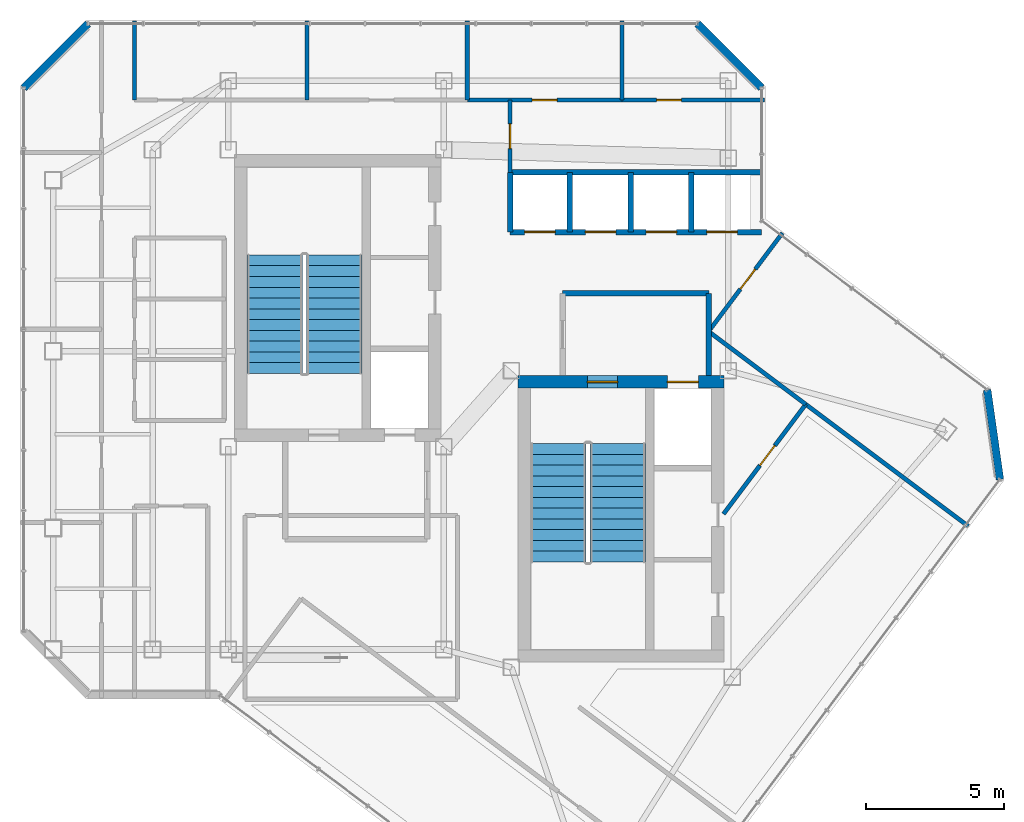
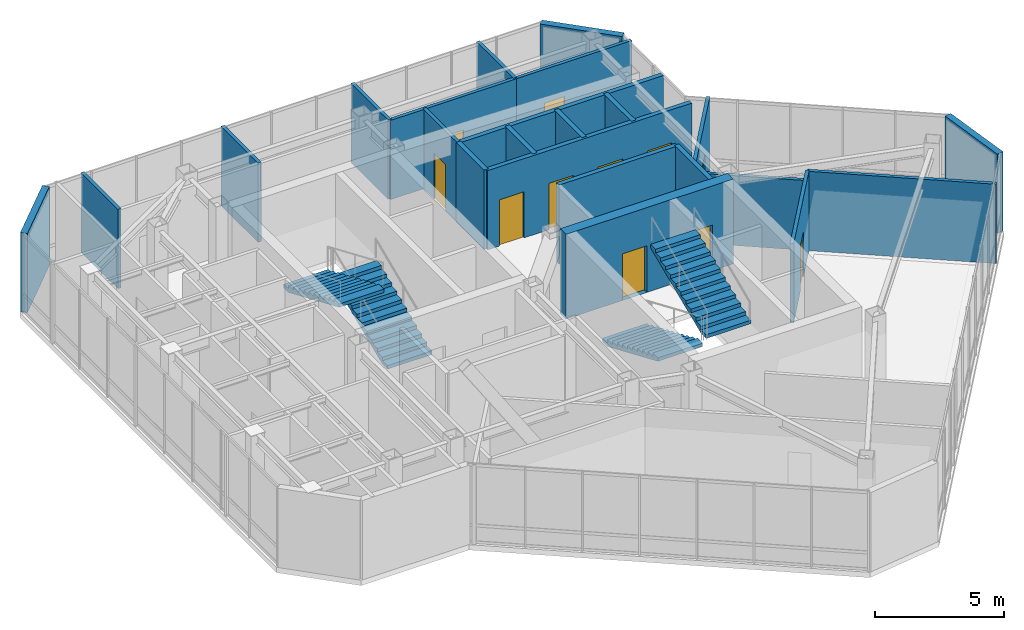
# One storey, part 28 of 31: 23 walls, 11 doors, 4 stair flights, 11 openings, 2 elements without a shape of their own.
"""IFC4 building model written with IfcOpenShell, lengths in metres."""

from ifc_helpers import new_model, si_unit, direction, frame, frame_2d, origin, place, context, subcontext, project, spatial, polyline, rectangle, outline, extrude, material, layer, layer_set, type_object, element, fill, aggregate, save


model = new_model("IFC4")

# Units and contexts
model_context = context("Model", 3, precision=1e-05, world=origin(), true_north=direction((0.0, 1.0)))
body_context = subcontext(model_context, "Body", "Model", "MODEL_VIEW")
ifc_project = project(units=[si_unit("LENGTHUNIT", "METRE"), si_unit("AREAUNIT", "SQUARE_METRE"), si_unit("VOLUMEUNIT", "CUBIC_METRE"), si_unit("PLANEANGLEUNIT", "RADIAN"), si_unit("MASSUNIT", "GRAM", prefix="KILO")], contexts=[model_context])

# Site, building, storey
site_placement = place(None, origin())
site = spatial("IfcSite", under=ifc_project, at=site_placement, CompositionType="ELEMENT")
building_placement = place(site_placement, origin())
building = spatial("IfcBuilding", under=site, at=building_placement, Name="Hatsunagi Terrace Concourse", CompositionType="ELEMENT")
storey_placement = place(building_placement, frame((0.0, 0.0, 269.949951171875)))
storey = spatial("IfcBuildingStorey", under=building, at=storey_placement, Name="L71", CompositionType="ELEMENT", Elevation=269.949951171875)

# Wall, openings, doors
ifc_material_1 = material(Name="Concrete Fc42", Category="concrete")
ifc_layer_1 = layer(ifc_material_1, 0.449951171875)
ifc_layer_set_1 = layer_set([ifc_layer_1], Name="CoreShearWall_Fc42_450")
wall_type_1 = type_object("IfcWallType", Name="CoreShearWall_Fc42_450", PredefinedType="SHEAR", material=ifc_layer_set_1)
wall_1_placement = place(storey_placement, frame((36.0400390625, 34.89501953125, 0.0), z_axis=(0.0, 0.0, 1.0), x_axis=(1.0, 0.0, 0.0)))
wall_1 = element("IfcWall", 1, at=wall_1_placement, inside=storey, type_object=wall_type_1, Name="Core B Shear Wall N L71", PredefinedType="SHEAR", context=body_context, shape_type="SweptSolid", body=[
    extrude(rectangle(XDim=7.4599609375, YDim=0.449951171875, at=frame_2d((3.72998046875, 0.0))), origin(), (0.0, 0.0, 1.0), 4.0),
])
opening_1_placement = place(wall_1_placement, frame((2.510009765625, 0.0, 0.0)))
opening_1 = element("IfcOpeningElement", 2, at=opening_1_placement, cuts=wall_1, Name="Opening DR-110S", PredefinedType="OPENING", context=body_context, shape_type="SweptSolid", body=[
    extrude(rectangle(XDim=1.10009765625, YDim=2.199951171875, at=frame_2d((0.550048828125, 1.10009765625))), frame((0.0, 0.23486328125, 0.0), z_axis=(0.0, -1.0, 0.0), x_axis=(1.0, 0.0, 0.0)), (0.0, 0.0, 1.0), 0.469970703125),
])
opening_2_placement = place(wall_1_placement, frame((5.409912109375, 0.0, 0.0)))
opening_2 = element("IfcOpeningElement", 3, at=opening_2_placement, cuts=wall_1, Name="Opening LD-02", PredefinedType="OPENING", context=body_context, shape_type="SweptSolid", body=[
    extrude(rectangle(XDim=1.1201171875, YDim=2.14990234375, at=frame_2d((0.56005859375, 1.074951171875))), frame((0.0, 0.23486328125, 0.0), z_axis=(0.0, -1.0, 0.0), x_axis=(1.0, 0.0, 0.0)), (0.0, 0.0, 1.0), 0.469970703125),
])
ifc_material_2 = material(Name="Stainless steel", Category="steel")
door_type_1 = type_object("IfcDoorType", Name="LiftLandingDoor_LD02", OperationType="SLIDING_TO_RIGHT", PredefinedType="USERDEFINED", material=ifc_material_2)
door_1_placement = place(opening_2_placement, origin())
door_1 = element("IfcDoor", 4, at=door_1_placement, inside=storey, type_object=door_type_1, Name="Lift landing door FF-02 L71", ObjectType="SLIDING_LANDING_DOOR", OperationType="SLIDING_TO_RIGHT", OverallHeight=2.14990234375, OverallWidth=1.1201171875, PredefinedType="USERDEFINED", context=body_context, shape_type="SweptSolid", body=[
    extrude(rectangle(XDim=1.1201171875, YDim=2.14990234375, at=frame_2d((0.56005859375, 1.074951171875))), frame((0.0, 0.02490234375, 0.0), z_axis=(0.0, -1.0, 0.0), x_axis=(1.0, 0.0, 0.0)), (0.0, 0.0, 1.0), 0.050048828125),
])
fill(opening_2, door_1)
ifc_material_3 = material(Name="Painted steel", Category="steel")
door_type_2 = type_object("IfcDoorType", Name="StairFireDoor_EI60_1100", OperationType="NOTDEFINED", PredefinedType="DOOR", material=ifc_material_3)
door_2_placement = place(opening_1_placement, origin())
door_2 = element("IfcDoor", 5, at=door_2_placement, inside=storey, type_object=door_type_2, Name="Stair ST-B Exit Door L71", OperationType="SINGLE_SWING_RIGHT", OverallHeight=2.199951171875, OverallWidth=1.10009765625, PredefinedType="DOOR", context=body_context, shape_type="SweptSolid", body=[
    extrude(rectangle(XDim=1.10009765625, YDim=2.199951171875, at=frame_2d((0.550048828125, 1.10009765625))), frame((0.0, 0.02490234375, 0.0), z_axis=(0.0, -1.0, 0.0), x_axis=(1.0, 0.0, 0.0)), (0.0, 0.0, 1.0), 0.050048828125),
])
fill(opening_1, door_2)

# Walls
ifc_material_4 = material(Name="Acoustic mineral board", Category="gypsum")
ifc_layer_2 = layer(ifc_material_4, 0.14990234375)
ifc_layer_set_2 = layer_set([ifc_layer_2], Name="PartitionWall_EI60_150")
wall_type_2 = type_object("IfcWallType", Name="PartitionWall_EI60_150", PredefinedType="PARTITIONING", material=ifc_layer_set_2)
for number, where, z_axis, x_axis, name in (
    (6, (22.14990234375, 45.10009765625, 0.0), (0.0, 0.0, 1.0), (0.0, 1.0, 0.0), "Interior Partition IW-L71-030"),
    (7, (28.39990234375, 45.10009765625, 0.0), (0.0, 0.0, 1.0), (0.0, 1.0, 0.0), "Interior Partition IW-L71-031"),
    (8, (34.199951171875, 45.10009765625, 0.0), (0.0, 0.0, 1.0), (0.0, 1.0, 0.0), "Interior Partition IW-L71-033"),
):
    element("IfcWall", number, at=place(storey_placement, frame(where, z_axis=z_axis, x_axis=x_axis)), inside=storey, type_object=wall_type_2, Name=name, PredefinedType="PARTITIONING", context=body_context, shape_type="SweptSolid", body=[
        extrude(rectangle(XDim=2.85986328125, YDim=0.14990234375, at=frame_2d((1.429931640625, 0.0))), origin(), (0.0, 0.0, 1.0), 3.739990234375),
    ])

# Wall, opening, door
wall_2_placement = place(storey_placement, frame((34.199951171875, 45.10009765625, 0.0), z_axis=(0.0, 0.0, 1.0), x_axis=(1.0, 0.0, 0.0)))
wall_2 = element("IfcWall", 9, at=wall_2_placement, inside=storey, type_object=wall_type_2, Name="Interior Partition IW-L71-034", PredefinedType="PARTITIONING", context=body_context, shape_type="SweptSolid", body=[
    extrude(rectangle(XDim=5.60009765625, YDim=0.14990234375, at=frame_2d((2.800048828125, 0.0))), origin(), (0.0, 0.0, 1.0), 3.739990234375),
])
opening_3_placement = place(wall_2_placement, frame((2.35009765625, 0.0, 0.0)))
opening_3 = element("IfcOpeningElement", 10, at=opening_3_placement, cuts=wall_2, Name="Opening DR-090", PredefinedType="OPENING", context=body_context, shape_type="SweptSolid", body=[
    extrude(rectangle(XDim=0.89990234375, YDim=2.14990234375, at=frame_2d((0.449951171875, 1.074951171875))), frame((0.0, 0.0849609375, 0.0), z_axis=(0.0, -1.0, 0.0), x_axis=(1.0, 0.0, 0.0)), (0.0, 0.0, 1.0), 0.169921875),
])
ifc_material_5 = material(Name="Hardwood timber", Category="wood")
door_type_3 = type_object("IfcDoorType", Name="CrownPavilionDoor_EI30_900", OperationType="NOTDEFINED", PredefinedType="DOOR", material=ifc_material_5)
door_3_placement = place(opening_3_placement, origin())
door_3 = element("IfcDoor", 11, at=door_3_placement, inside=storey, type_object=door_type_3, Name="VIP Lounge L71-CRN3 Door", OperationType="SINGLE_SWING_RIGHT", OverallHeight=2.14990234375, OverallWidth=0.89990234375, PredefinedType="DOOR", context=body_context, shape_type="SweptSolid", body=[
    extrude(rectangle(XDim=0.89990234375, YDim=2.14990234375, at=frame_2d((0.449951171875, 1.074951171875))), frame((0.0, 0.02490234375, 0.0), z_axis=(0.0, -1.0, 0.0), x_axis=(1.0, 0.0, 0.0)), (0.0, 0.0, 1.0), 0.050048828125),
])
fill(opening_3, door_3)

# Wall
wall_3_placement = place(storey_placement, frame((39.800048828125, 45.10009765625, 0.0), z_axis=(0.0, 0.0, 1.0), x_axis=(0.0, 1.0, 0.0)))
element("IfcWall", 12, at=wall_3_placement, inside=storey, type_object=wall_type_2, Name="Interior Partition IW-L71-035", PredefinedType="PARTITIONING", context=body_context, shape_type="SweptSolid", body=[
    extrude(rectangle(XDim=2.85986328125, YDim=0.14990234375, at=frame_2d((1.429931640625, 0.0))), origin(), (0.0, 0.0, 1.0), 3.739990234375),
])

# Wall, opening, door
wall_4_placement = place(storey_placement, frame((39.800048828125, 45.10009765625, 0.0), z_axis=(0.0, 0.0, 1.0), x_axis=(1.0, 0.0, 0.0)))
wall_4 = element("IfcWall", 13, at=wall_4_placement, inside=storey, type_object=wall_type_2, Name="Interior Partition IW-L71-036", PredefinedType="PARTITIONING", context=body_context, shape_type="SweptSolid", body=[
    extrude(rectangle(XDim=5.159912109375, YDim=0.14990234375, at=frame_2d((2.580078125, 0.0))), origin(), (0.0, 0.0, 1.0), 3.739990234375),
])
opening_4_placement = place(wall_4_placement, frame((1.2548828125, 0.0, 0.0)))
opening_4 = element("IfcOpeningElement", 14, at=opening_4_placement, cuts=wall_4, Name="Opening DR-090", PredefinedType="OPENING", context=body_context, shape_type="SweptSolid", body=[
    extrude(rectangle(XDim=0.89990234375, YDim=2.14990234375, at=frame_2d((0.449951171875, 1.074951171875))), frame((0.0, 0.0849609375, 0.0), z_axis=(0.0, -1.0, 0.0), x_axis=(1.0, 0.0, 0.0)), (0.0, 0.0, 1.0), 0.169921875),
])
door_4_placement = place(opening_4_placement, origin())
door_4 = element("IfcDoor", 15, at=door_4_placement, inside=storey, type_object=door_type_3, Name="Executive Office L71-CRN4 Door", OperationType="SINGLE_SWING_RIGHT", OverallHeight=2.14990234375, OverallWidth=0.89990234375, PredefinedType="DOOR", context=body_context, shape_type="SweptSolid", body=[
    extrude(rectangle(XDim=0.89990234375, YDim=2.14990234375, at=frame_2d((0.449951171875, 1.074951171875))), frame((0.0, 0.02490234375, 0.0), z_axis=(0.0, -1.0, 0.0), x_axis=(1.0, 0.0, 0.0)), (0.0, 0.0, 1.0), 0.050048828125),
])
fill(opening_4, door_4)

wall_5_placement = place(storey_placement, frame((35.75, 42.47998046875, 0.0), z_axis=(0.0, 0.0, 1.0), x_axis=(0.0, 1.0, 0.0)))
wall_5 = element("IfcWall", 16, at=wall_5_placement, inside=storey, type_object=wall_type_2, Name="Interior Partition IW-L71-037", PredefinedType="PARTITIONING", context=body_context, shape_type="SweptSolid", body=[
    extrude(rectangle(XDim=2.6201171875, YDim=0.14990234375, at=frame_2d((1.31005859375, 0.0))), origin(), (0.0, 0.0, 1.0), 3.739990234375),
])
opening_5_placement = place(wall_5_placement, frame((0.860107421875, 0.0, 0.0)))
opening_5 = element("IfcOpeningElement", 17, at=opening_5_placement, cuts=wall_5, Name="Opening DR-090", PredefinedType="OPENING", context=body_context, shape_type="SweptSolid", body=[
    extrude(rectangle(XDim=0.89990234375, YDim=2.14990234375, at=frame_2d((0.449951171875, 1.074951171875))), frame((0.0, 0.0849609375, 0.0), z_axis=(0.0, -1.0, 0.0), x_axis=(1.0, 0.0, 0.0)), (0.0, 0.0, 1.0), 0.169921875),
])
door_5_placement = place(opening_5_placement, origin())
door_5 = element("IfcDoor", 18, at=door_5_placement, inside=storey, type_object=door_type_3, Name="Crown Tea Salon L71-CRTEA Door", OperationType="SINGLE_SWING_RIGHT", OverallHeight=2.14990234375, OverallWidth=0.89990234375, PredefinedType="DOOR", context=body_context, shape_type="SweptSolid", body=[
    extrude(rectangle(XDim=0.89990234375, YDim=2.14990234375, at=frame_2d((0.449951171875, 1.074951171875))), frame((0.0, 0.02490234375, 0.0), z_axis=(0.0, -1.0, 0.0), x_axis=(1.0, 0.0, 0.0)), (0.0, 0.0, 1.0), 0.050048828125),
])
fill(opening_5, door_5)

# Wall
wall_6_placement = place(storey_placement, frame((46.4599609375, 34.080078125, 0.0), z_axis=(0.0, 0.0, 1.0), x_axis=(0.799996019408, -0.60000530742, 0.0)))
element("IfcWall", 19, at=wall_6_placement, inside=storey, type_object=wall_type_2, Name="Interior Partition IW-L71-051", PredefinedType="PARTITIONING", context=body_context, shape_type="SweptSolid", body=[
    extrude(rectangle(XDim=7.35986328125, YDim=0.14990234375, at=frame_2d((3.679931640625, 0.0))), origin(), (0.0, 0.0, 1.0), 3.739990234375),
])

# Wall, opening, door
wall_7_placement = place(storey_placement, frame((43.47998046875, 30.10693359375, 0.0), z_axis=(0.0, 0.0, 1.0), x_axis=(0.600015730265, 0.799988202059, 0.0)))
wall_7 = element("IfcWall", 20, at=wall_7_placement, inside=storey, type_object=wall_type_2, Name="Interior Partition IW-L71-052", PredefinedType="PARTITIONING", context=body_context, shape_type="SweptSolid", body=[
    extrude(rectangle(XDim=4.966552734375, YDim=0.14990234375, at=frame_2d((2.4833984375, 0.0))), origin(), (0.0, 0.0, 1.0), 3.739990234375),
])
opening_6_placement = place(wall_7_placement, frame((2.198974609375, 0.0, 0.0)))
opening_6 = element("IfcOpeningElement", 21, at=opening_6_placement, cuts=wall_7, Name="Opening DR-090", PredefinedType="OPENING", context=body_context, shape_type="SweptSolid", body=[
    extrude(rectangle(XDim=0.89990234375, YDim=2.14990234375, at=frame_2d((0.449951171875, 1.074951171875))), frame((0.0, 0.0849609375, 0.0), z_axis=(0.0, -1.0, 0.0), x_axis=(1.0, 0.0, 0.0)), (0.0, 0.0, 1.0), 0.169921875),
])
door_6_placement = place(opening_6_placement, origin())
door_6 = element("IfcDoor", 22, at=door_6_placement, inside=storey, type_object=door_type_3, Name="Crown Executive Suite L71-CRSE1 Door", OperationType="SINGLE_SWING_RIGHT", OverallHeight=2.14990234375, OverallWidth=0.89990234375, PredefinedType="DOOR", context=body_context, shape_type="SweptSolid", body=[
    extrude(rectangle(XDim=0.89990234375, YDim=2.14990234375, at=frame_2d((0.449951171875, 1.074951171875))), frame((0.0, 0.02490234375, 0.0), z_axis=(0.0, -1.0, 0.0), x_axis=(1.0, 0.0, 0.0)), (0.0, 0.0, 1.0), 0.050048828125),
])
fill(opening_6, door_6)

# Wall
wall_8_placement = place(storey_placement, frame((42.93994140625, 36.719970703125, 0.0), z_axis=(0.0, 0.0, 1.0), x_axis=(0.800013316712, -0.599982243973, 0.0)))
element("IfcWall", 23, at=wall_8_placement, inside=storey, type_object=wall_type_2, Name="Interior Partition IW-L71-053", PredefinedType="PARTITIONING", context=body_context, shape_type="SweptSolid", body=[
    extrude(rectangle(XDim=4.39990234375, YDim=0.14990234375, at=frame_2d((2.199951171875, 0.0))), origin(), (0.0, 0.0, 1.0), 3.295166015625),
])

# Wall, opening, door
wall_9_placement = place(storey_placement, frame((42.93994140625, 36.719970703125, 0.0), z_axis=(0.0, 0.0, 1.0), x_axis=(0.599991241767, 0.8000065686, 0.0)))
wall_9 = element("IfcWall", 24, at=wall_9_placement, inside=storey, type_object=wall_type_2, Name="Interior Partition IW-L71-054", PredefinedType="PARTITIONING", context=body_context, shape_type="SweptSolid", body=[
    extrude(rectangle(XDim=4.460205078125, YDim=0.14990234375, at=frame_2d((2.22998046875, 0.0))), origin(), (0.0, 0.0, 1.0), 3.739990234375),
])
opening_7_placement = place(wall_9_placement, frame((1.919921875, 0.0, 0.0)))
opening_7 = element("IfcOpeningElement", 25, at=opening_7_placement, cuts=wall_9, Name="Opening DR-090", PredefinedType="OPENING", context=body_context, shape_type="SweptSolid", body=[
    extrude(rectangle(XDim=0.89990234375, YDim=2.14990234375, at=frame_2d((0.449951171875, 1.074951171875))), frame((0.0, 0.0849609375, 0.0), z_axis=(0.0, -1.0, 0.0), x_axis=(1.0, 0.0, 0.0)), (0.0, 0.0, 1.0), 0.169921875),
])
door_7_placement = place(opening_7_placement, origin())
door_7 = element("IfcDoor", 26, at=door_7_placement, inside=storey, type_object=door_type_3, Name="Boardroom L71-CRSE2 Door", OperationType="SINGLE_SWING_LEFT", OverallHeight=2.14990234375, OverallWidth=0.89990234375, PredefinedType="DOOR", context=body_context, shape_type="SweptSolid", body=[
    extrude(rectangle(XDim=0.89990234375, YDim=2.14990234375, at=frame_2d((0.449951171875, 1.074951171875))), frame((0.0, 0.02490234375, 0.0), z_axis=(0.0, -1.0, 0.0), x_axis=(1.0, 0.0, 0.0)), (0.0, 0.0, 1.0), 0.050048828125),
])
fill(opening_7, door_7)

# Walls
ifc_material_6 = material(Name="Acoustic mineral board", Category="gypsum")
ifc_layer_3 = layer(ifc_material_6, 0.199951171875)
ifc_layer_set_3 = layer_set([ifc_layer_3], Name="ShaftWall_EI120_200")
wall_type_3 = type_object("IfcWallType", Name="ShaftWall_EI120_200", PredefinedType="STANDARD", material=ifc_layer_set_3)
wall_10_placement = place(storey_placement, frame((37.64990234375, 38.10009765625, 0.0), z_axis=(0.0, 0.0, 1.0), x_axis=(1.0, 0.0, 0.0)))
element("IfcWall", 27, at=wall_10_placement, inside=storey, type_object=wall_type_3, Name="Interior Partition IW-L71-008", PredefinedType="STANDARD", context=body_context, shape_type="SweptSolid", body=[
    extrude(rectangle(XDim=5.300048828125, YDim=0.199951171875, at=frame_2d((2.64990234375, 0.0))), origin(), (0.0, 0.0, 1.0), 3.739990234375),
])
wall_11_placement = place(storey_placement, frame((42.949951171875, 35.1201171875, 0.0), z_axis=(0.0, 0.0, 1.0), x_axis=(0.0, 1.0, 0.0)))
element("IfcWall", 28, at=wall_11_placement, inside=storey, type_object=wall_type_3, Name="Interior Partition IW-L71-009", PredefinedType="STANDARD", context=body_context, shape_type="SweptSolid", body=[
    extrude(rectangle(XDim=2.97998046875, YDim=0.199951171875, at=frame_2d((1.489990234375, 0.0))), origin(), (0.0, 0.0, 1.0), 3.739990234375),
])
wall_12_placement = place(storey_placement, frame((35.75, 42.47998046875, 0.0), z_axis=(0.0, 0.0, 1.0), x_axis=(1.0, 0.0, 0.0)))
element("IfcWall", 29, at=wall_12_placement, inside=storey, type_object=wall_type_3, Name="Interior Partition IW-L71-011", PredefinedType="STANDARD", context=body_context, shape_type="SweptSolid", body=[
    extrude(rectangle(XDim=9.110107421875, YDim=0.199951171875, at=frame_2d((4.55517578125, 0.0))), origin(), (0.0, 0.0, 1.0), 3.739990234375),
])
for number, where, z_axis, x_axis, name in (
    (30, (35.75, 40.320068359375, 0.0), (0.0, 0.0, 1.0), (0.0, 1.0, 0.0), "Interior Partition IW-L71-012"),
    (31, (37.919921875, 40.320068359375, 0.0), (0.0, 0.0, 1.0), (0.0, 1.0, 0.0), "Interior Partition IW-L71-013"),
    (32, (40.1201171875, 40.320068359375, 0.0), (0.0, 0.0, 1.0), (0.0, 1.0, 0.0), "Interior Partition IW-L71-014"),
    (33, (42.320068359375, 40.320068359375, 0.0), (0.0, 0.0, 1.0), (0.0, 1.0, 0.0), "Interior Partition IW-L71-015"),
):
    element("IfcWall", number, at=place(storey_placement, frame(where, z_axis=z_axis, x_axis=x_axis)), inside=storey, type_object=wall_type_3, Name=name, PredefinedType="STANDARD", context=body_context, shape_type="SweptSolid", body=[
        extrude(rectangle(XDim=2.159912109375, YDim=0.199951171875, at=frame_2d((1.080078125, 0.0))), origin(), (0.0, 0.0, 1.0), 3.739990234375),
    ])

# Wall, openings, doors
wall_13_placement = place(storey_placement, frame((35.75, 40.320068359375, 0.0), z_axis=(0.0, 0.0, 1.0), x_axis=(1.0, 0.0, 0.0)))
wall_13 = element("IfcWall", 34, at=wall_13_placement, inside=storey, type_object=wall_type_3, Name="Interior Partition IW-L71-016", PredefinedType="STANDARD", context=body_context, shape_type="SweptSolid", body=[
    extrude(rectangle(XDim=9.110107421875, YDim=0.199951171875, at=frame_2d((4.55517578125, 0.0))), origin(), (0.0, 0.0, 1.0), 3.739990234375),
])
opening_8_placement = place(wall_13_placement, frame((0.530029296875, 0.0, 0.0)))
opening_8 = element("IfcOpeningElement", 35, at=opening_8_placement, cuts=wall_13, Name="Opening LD-04", PredefinedType="OPENING", context=body_context, shape_type="SweptSolid", body=[
    extrude(rectangle(XDim=1.10009765625, YDim=2.179931640625, at=frame_2d((0.550048828125, 1.08984375))), frame((0.0, 0.10986328125, 0.0), z_axis=(0.0, -1.0, 0.0), x_axis=(1.0, 0.0, 0.0)), (0.0, 0.0, 1.0), 0.219970703125),
])
opening_9_placement = place(wall_13_placement, frame((2.72998046875, 0.0, 0.0)))
opening_9 = element("IfcOpeningElement", 36, at=opening_9_placement, cuts=wall_13, Name="Opening LD-04", PredefinedType="OPENING", context=body_context, shape_type="SweptSolid", body=[
    extrude(rectangle(XDim=1.10009765625, YDim=2.179931640625, at=frame_2d((0.550048828125, 1.08984375))), frame((0.0, 0.10986328125, 0.0), z_axis=(0.0, -1.0, 0.0), x_axis=(1.0, 0.0, 0.0)), (0.0, 0.0, 1.0), 0.219970703125),
])
opening_10_placement = place(wall_13_placement, frame((4.929931640625, 0.0, 0.0)))
opening_10 = element("IfcOpeningElement", 37, at=opening_10_placement, cuts=wall_13, Name="Opening LD-04", PredefinedType="OPENING", context=body_context, shape_type="SweptSolid", body=[
    extrude(rectangle(XDim=1.10009765625, YDim=2.179931640625, at=frame_2d((0.550048828125, 1.08984375))), frame((0.0, 0.10986328125, 0.0), z_axis=(0.0, -1.0, 0.0), x_axis=(1.0, 0.0, 0.0)), (0.0, 0.0, 1.0), 0.219970703125),
])
opening_11_placement = place(wall_13_placement, frame((7.1298828125, 0.0, 0.0)))
opening_11 = element("IfcOpeningElement", 38, at=opening_11_placement, cuts=wall_13, Name="Opening LD-04", PredefinedType="OPENING", context=body_context, shape_type="SweptSolid", body=[
    extrude(rectangle(XDim=1.10009765625, YDim=2.179931640625, at=frame_2d((0.550048828125, 1.08984375))), frame((0.0, 0.10986328125, 0.0), z_axis=(0.0, -1.0, 0.0), x_axis=(1.0, 0.0, 0.0)), (0.0, 0.0, 1.0), 0.219970703125),
])
ifc_material_7 = material(Name="Stainless steel", Category="steel")
door_type_4 = type_object("IfcDoorType", Name="LiftLandingDoor_LD04", OperationType="SLIDING_TO_RIGHT", PredefinedType="USERDEFINED", material=ifc_material_7)
door_8_placement = place(opening_8_placement, origin())
door_8 = element("IfcDoor", 39, at=door_8_placement, inside=storey, type_object=door_type_4, Name="Lift landing door PL-05 L71", ObjectType="SLIDING_LANDING_DOOR", OperationType="SLIDING_TO_RIGHT", OverallHeight=2.179931640625, OverallWidth=1.10009765625, PredefinedType="USERDEFINED", context=body_context, shape_type="SweptSolid", body=[
    extrude(rectangle(XDim=1.10009765625, YDim=2.179931640625, at=frame_2d((0.550048828125, 1.08984375))), frame((0.0, 0.02490234375, 0.0), z_axis=(0.0, -1.0, 0.0), x_axis=(1.0, 0.0, 0.0)), (0.0, 0.0, 1.0), 0.050048828125),
])
fill(opening_8, door_8)
door_9_placement = place(opening_9_placement, origin())
door_9 = element("IfcDoor", 40, at=door_9_placement, inside=storey, type_object=door_type_4, Name="Lift landing door PL-06 L71", ObjectType="SLIDING_LANDING_DOOR", OperationType="SLIDING_TO_RIGHT", OverallHeight=2.179931640625, OverallWidth=1.10009765625, PredefinedType="USERDEFINED", context=body_context, shape_type="SweptSolid", body=[
    extrude(rectangle(XDim=1.10009765625, YDim=2.179931640625, at=frame_2d((0.550048828125, 1.08984375))), frame((0.0, 0.02490234375, 0.0), z_axis=(0.0, -1.0, 0.0), x_axis=(1.0, 0.0, 0.0)), (0.0, 0.0, 1.0), 0.050048828125),
])
fill(opening_9, door_9)
door_10_placement = place(opening_10_placement, origin())
door_10 = element("IfcDoor", 41, at=door_10_placement, inside=storey, type_object=door_type_4, Name="Lift landing door PL-07 L71", ObjectType="SLIDING_LANDING_DOOR", OperationType="SLIDING_TO_RIGHT", OverallHeight=2.179931640625, OverallWidth=1.10009765625, PredefinedType="USERDEFINED", context=body_context, shape_type="SweptSolid", body=[
    extrude(rectangle(XDim=1.10009765625, YDim=2.179931640625, at=frame_2d((0.550048828125, 1.08984375))), frame((0.0, 0.02490234375, 0.0), z_axis=(0.0, -1.0, 0.0), x_axis=(1.0, 0.0, 0.0)), (0.0, 0.0, 1.0), 0.050048828125),
])
fill(opening_10, door_10)
door_11_placement = place(opening_11_placement, origin())
door_11 = element("IfcDoor", 42, at=door_11_placement, inside=storey, type_object=door_type_4, Name="Lift landing door PL-08 L71", ObjectType="SLIDING_LANDING_DOOR", OperationType="SLIDING_TO_RIGHT", OverallHeight=2.179931640625, OverallWidth=1.10009765625, PredefinedType="USERDEFINED", context=body_context, shape_type="SweptSolid", body=[
    extrude(rectangle(XDim=1.10009765625, YDim=2.179931640625, at=frame_2d((0.550048828125, 1.08984375))), frame((0.0, 0.02490234375, 0.0), z_axis=(0.0, -1.0, 0.0), x_axis=(1.0, 0.0, 0.0)), (0.0, 0.0, 1.0), 0.050048828125),
])
fill(opening_11, door_11)

# Walls
ifc_material_8 = material(Name="Autoclaved Lightweight Concrete and Terracotta Cladding", Category="masonry")
ifc_layer_4 = layer(ifc_material_8, 0.280029296875)
ifc_layer_set_4 = layer_set([ifc_layer_4], Name="TerracottaSpandrelWall_280")
wall_type_4 = type_object("IfcWallType", Name="TerracottaSpandrelWall_280", PredefinedType="STANDARD", material=ifc_layer_set_4)
wall_14_placement = place(storey_placement, frame((53.030029296875, 34.60302734375, 0.0), z_axis=(0.0, 0.0, 1.0), x_axis=(0.141212810973, -0.989979263428, 0.0)))
element("IfcWall", 43, at=wall_14_placement, inside=storey, type_object=wall_type_4, Name="Exterior Spandrel Wall EW-L71-02", PredefinedType="STANDARD", context=body_context, shape_type="SweptSolid", body=[
    extrude(rectangle(XDim=3.278076171875, YDim=0.280029296875, at=frame_2d((1.63916015625, 0.0))), origin(), (0.0, 0.0, 1.0), 3.739990234375),
])
for number, where, z_axis, x_axis, name in (
    (44, (18.139892578125, 45.5419921875, 0.0), (0.0, 0.0, 1.0), (0.707106781187, 0.707106781187, 0.0), "Exterior Spandrel Wall EW-L71-09"),
    (45, (42.5419921875, 47.860107421875, 0.0), (0.0, 0.0, 1.0), (0.707106781187, -0.707106781187, 0.0), "Exterior Spandrel Wall EW-L71-11"),
):
    element("IfcWall", number, at=place(storey_placement, frame(where, z_axis=z_axis, x_axis=x_axis)), inside=storey, type_object=wall_type_4, Name=name, PredefinedType="STANDARD", context=body_context, shape_type="SweptSolid", body=[
        extrude(rectangle(XDim=3.2783203125, YDim=0.280029296875, at=frame_2d((1.63916015625, 0.0))), origin(), (0.0, 0.0, 1.0), 3.739990234375),
    ])

# Stair, stair flights
ifc_material_9 = material(Name="Concrete Fc42", Category="concrete")
stair_type = type_object("IfcStairType", Name="DoglegExitStair_Tower2000_24R_167", PredefinedType="HALF_TURN_STAIR", material=ifc_material_9)
stair_1_placement = place(storey_placement, origin())
stair_1 = element("IfcStair", 46, at=stair_1_placement, inside=storey, type_object=stair_type, Name="L71 Core A Protected Exit Stair ST-A", PredefinedType="HALF_TURN_STAIR")
ifc_material_10 = material(Name="Concrete Fc42", Category="concrete")
stair_flight_type = type_object("IfcStairFlightType", Name="DoglegStairFlight_Tower2000_24R_167", PredefinedType="STRAIGHT", material=ifc_material_10)
stair_flight_1_placement = place(storey_placement, frame((29.3798828125, 35.199951171875, 0.0), z_axis=(0.0, 0.0, 1.0), x_axis=(0.0, 1.0, 0.0)))
stair_flight_1 = element("IfcStairFlight", 47, at=stair_flight_1_placement, type_object=stair_flight_type, Name="ST-A flight 1", NumberOfRisers=12, NumberOfTreads=11, PredefinedType="STRAIGHT", RiserHeight=0.166666667, TreadLength=0.39, context=body_context, shape_type="SweptSolid", body=[
    extrude(outline(polyline([(0.0, 0.0), (0.0, 0.166748046875), (0.389892578125, 0.166748046875), (0.389892578125, 0.333251953125), (0.780029296875, 0.333251953125), (0.780029296875, 0.5), (1.169921875, 0.5), (1.169921875, 0.666748046875), (1.56005859375, 0.666748046875), (1.56005859375, 0.833251953125), (1.949951171875, 0.833251953125), (1.949951171875, 1.0), (2.340087890625, 1.0), (2.340087890625, 1.166748046875), (2.72998046875, 1.166748046875), (2.72998046875, 1.333251953125), (3.1201171875, 1.333251953125), (3.1201171875, 1.5), (3.510009765625, 1.5), (3.510009765625, 1.666748046875), (3.89990234375, 1.666748046875), (3.89990234375, 1.833251953125), (4.2900390625, 1.833251953125), (4.2900390625, 2.0), (4.2900390625, 1.67041015625), (0.38134765625, 0.0), (0.0, 0.0)])), frame((0.0, 1.0, 0.0), z_axis=(0.0, -1.0, 0.0), x_axis=(1.0, 0.0, 0.0)), (0.0, 0.0, 1.0), 2.0),
])
stair_flight_2_placement = place(storey_placement, frame((27.22998046875, 39.489990234375, 2.0), z_axis=(0.0, 0.0, 1.0), x_axis=(0.0, -1.0, 0.0)))
stair_flight_2 = element("IfcStairFlight", 48, at=stair_flight_2_placement, type_object=stair_flight_type, Name="ST-A flight 2", NumberOfRisers=12, NumberOfTreads=11, PredefinedType="STRAIGHT", RiserHeight=0.166666667, TreadLength=0.39, context=body_context, shape_type="SweptSolid", body=[
    extrude(outline(polyline([(0.0, 0.0), (0.0, 0.166748046875), (0.389892578125, 0.166748046875), (0.389892578125, 0.333251953125), (0.780029296875, 0.333251953125), (0.780029296875, 0.5), (1.169921875, 0.5), (1.169921875, 0.666748046875), (1.56005859375, 0.666748046875), (1.56005859375, 0.833251953125), (1.949951171875, 0.833251953125), (1.949951171875, 1.0), (2.340087890625, 1.0), (2.340087890625, 1.166748046875), (2.72998046875, 1.166748046875), (2.72998046875, 1.333251953125), (3.1201171875, 1.333251953125), (3.1201171875, 1.5), (3.510009765625, 1.5), (3.510009765625, 1.666748046875), (3.89990234375, 1.666748046875), (3.89990234375, 1.833251953125), (4.2900390625, 1.833251953125), (4.2900390625, 2.0), (4.2900390625, 1.67041015625), (0.38134765625, 0.0), (0.0, 0.0)])), frame((0.0, 1.0, 0.0), z_axis=(0.0, -1.0, 0.0), x_axis=(1.0, 0.0, 0.0)), (0.0, 0.0, 1.0), 2.0),
])
aggregate(stair_1, [stair_flight_1, stair_flight_2])

stair_2_placement = place(storey_placement, origin())
stair_2 = element("IfcStair", 49, at=stair_2_placement, inside=storey, type_object=stair_type, Name="L71 Core B Protected Exit Stair ST-B", PredefinedType="HALF_TURN_STAIR")
stair_flight_3_placement = place(storey_placement, frame((37.5, 32.659912109375, 0.0), z_axis=(0.0, 0.0, 1.0), x_axis=(0.0, -1.0, 0.0)))
stair_flight_3 = element("IfcStairFlight", 50, at=stair_flight_3_placement, type_object=stair_flight_type, Name="ST-B flight 1", NumberOfRisers=12, NumberOfTreads=11, PredefinedType="STRAIGHT", RiserHeight=0.166666667, TreadLength=0.39, context=body_context, shape_type="SweptSolid", body=[
    extrude(outline(polyline([(0.0, 0.0), (0.0, 0.166748046875), (0.389892578125, 0.166748046875), (0.389892578125, 0.333251953125), (0.780029296875, 0.333251953125), (0.780029296875, 0.5), (1.169921875, 0.5), (1.169921875, 0.666748046875), (1.56005859375, 0.666748046875), (1.56005859375, 0.833251953125), (1.949951171875, 0.833251953125), (1.949951171875, 1.0), (2.340087890625, 1.0), (2.340087890625, 1.166748046875), (2.72998046875, 1.166748046875), (2.72998046875, 1.333251953125), (3.1201171875, 1.333251953125), (3.1201171875, 1.5), (3.510009765625, 1.5), (3.510009765625, 1.666748046875), (3.89990234375, 1.666748046875), (3.89990234375, 1.833251953125), (4.2900390625, 1.833251953125), (4.2900390625, 2.0), (4.2900390625, 1.67041015625), (0.38134765625, 0.0), (0.0, 0.0)])), frame((0.0, 1.0, 0.0), z_axis=(0.0, -1.0, 0.0), x_axis=(1.0, 0.0, 0.0)), (0.0, 0.0, 1.0), 2.0),
])
stair_flight_4_placement = place(storey_placement, frame((39.64990234375, 28.3701171875, 2.0), z_axis=(0.0, 0.0, 1.0), x_axis=(0.0, 1.0, 0.0)))
stair_flight_4 = element("IfcStairFlight", 51, at=stair_flight_4_placement, type_object=stair_flight_type, Name="ST-B flight 2", NumberOfRisers=12, NumberOfTreads=11, PredefinedType="STRAIGHT", RiserHeight=0.166666667, TreadLength=0.39, context=body_context, shape_type="SweptSolid", body=[
    extrude(outline(polyline([(0.0, 0.0), (0.0, 0.166748046875), (0.389892578125, 0.166748046875), (0.389892578125, 0.333251953125), (0.780029296875, 0.333251953125), (0.780029296875, 0.5), (1.169921875, 0.5), (1.169921875, 0.666748046875), (1.56005859375, 0.666748046875), (1.56005859375, 0.833251953125), (1.949951171875, 0.833251953125), (1.949951171875, 1.0), (2.340087890625, 1.0), (2.340087890625, 1.166748046875), (2.72998046875, 1.166748046875), (2.72998046875, 1.333251953125), (3.1201171875, 1.333251953125), (3.1201171875, 1.5), (3.510009765625, 1.5), (3.510009765625, 1.666748046875), (3.89990234375, 1.666748046875), (3.89990234375, 1.833251953125), (4.2900390625, 1.833251953125), (4.2900390625, 2.0), (4.2900390625, 1.67041015625), (0.38134765625, 0.0), (0.0, 0.0)])), frame((0.0, 1.0, 0.0), z_axis=(0.0, -1.0, 0.0), x_axis=(1.0, 0.0, 0.0)), (0.0, 0.0, 1.0), 2.0),
])
aggregate(stair_2, [stair_flight_3, stair_flight_4])

save(model, "model.ifc")
